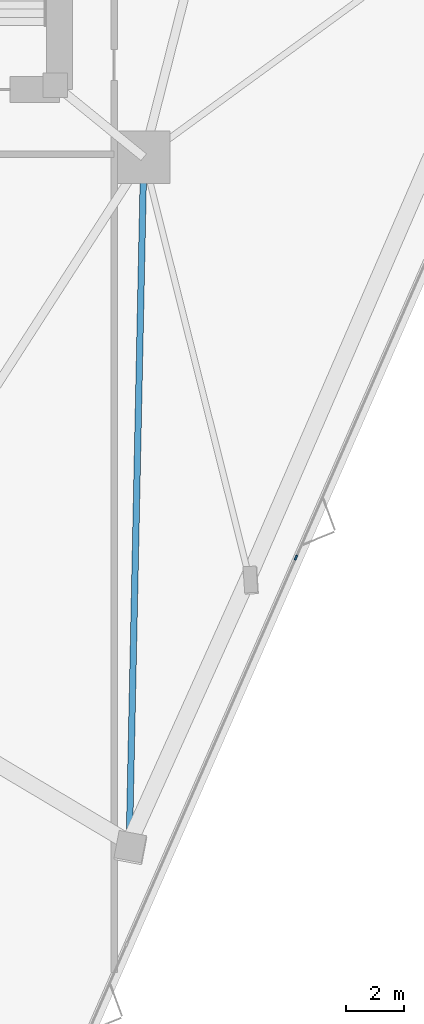
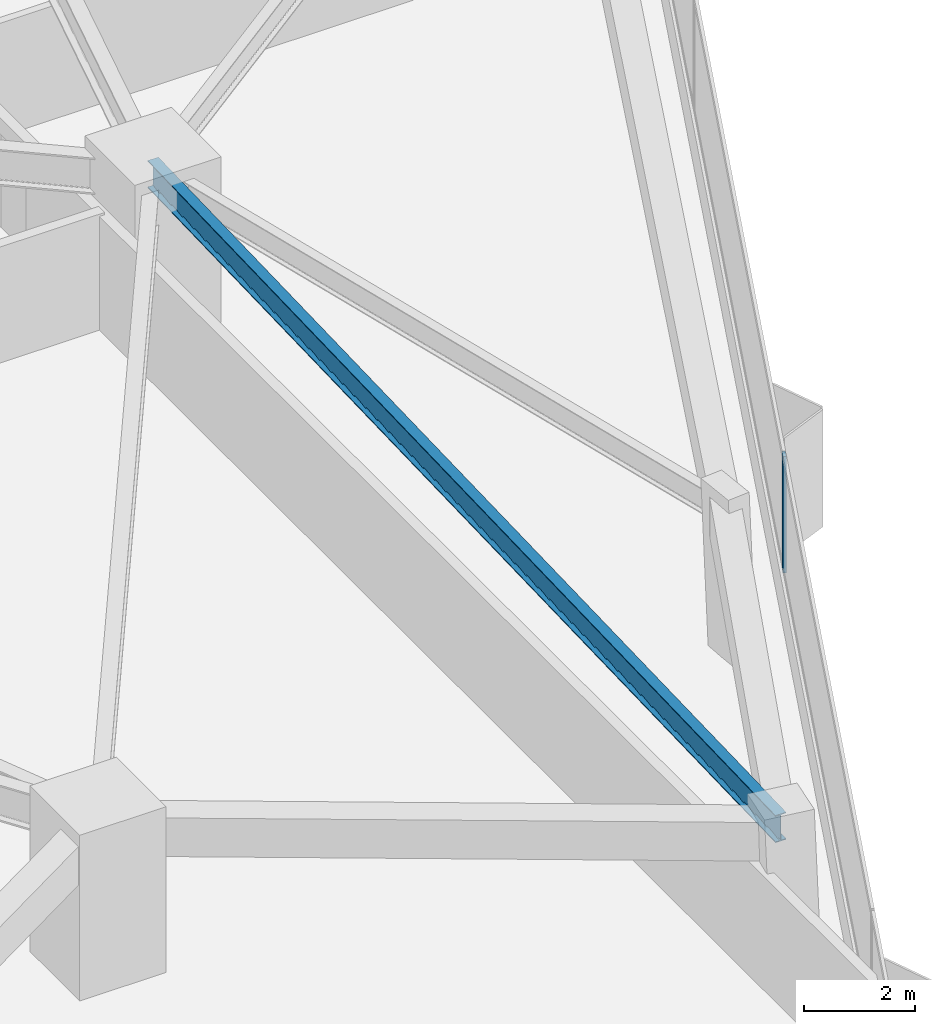
# One storey, part 5 of 20: 1 beam, 1 member, 1 element without a shape of its own.
"""IFC4 building model written with IfcOpenShell, lengths in metres."""

from ifc_helpers import new_model, si_unit, direction, frame, origin, origin_2d, place, context, subcontext, project, spatial, rectangle, i_section, extrude, material, layer, layer_set, material_profile, profile_set, type_object, element, aggregate, save


model = new_model("IFC4")

# Units and contexts
model_context = context("Model", 3, precision=1e-05, world=origin(), true_north=direction((0.0, 1.0)))
body_context = subcontext(model_context, "Body", "Model", "MODEL_VIEW")
ifc_project = project(units=[si_unit("LENGTHUNIT", "METRE"), si_unit("AREAUNIT", "SQUARE_METRE"), si_unit("VOLUMEUNIT", "CUBIC_METRE"), si_unit("PLANEANGLEUNIT", "RADIAN"), si_unit("MASSUNIT", "GRAM", prefix="KILO")], contexts=[model_context])

# Site, building, storey
site_placement = place(None, origin())
site = spatial("IfcSite", under=ifc_project, at=site_placement, CompositionType="ELEMENT")
building_placement = place(site_placement, origin())
building = spatial("IfcBuilding", under=site, at=building_placement, Name="Talyreon Biosciences Tower", CompositionType="ELEMENT")
storey_placement = place(building_placement, frame((0.0, 0.0, 41.050048828125)))
storey = spatial("IfcBuildingStorey", under=building, at=storey_placement, Name="L10", CompositionType="ELEMENT", Elevation=41.050048828125)

# Curtain wall, member
ifc_material_1 = material(Name="Thermally broken aluminium and low-E glazing", Category="aluminium")
ifc_layer = layer(ifc_material_1, 0.195068359375)
ifc_layer_set = layer_set([ifc_layer], Name="Thermally broken aluminium and low-E glazing")
curtain_wall_type = type_object("IfcCurtainWallType", Name="CurtainWall_Zone1WetLab", PredefinedType="NOTDEFINED", material=ifc_layer_set)
curtain_wall_placement = place(storey_placement, origin())
curtain_wall = element("IfcCurtainWall", 1, at=curtain_wall_placement, inside=storey, type_object=curtain_wall_type, Name="L10 Unitised Curtain Wall FCW-L10-08", PredefinedType="NOTDEFINED")
ifc_material_2 = material(Name="Anodised thermally broken aluminium", Category="aluminium")
ifc_material_profile_1 = material_profile(ifc_material_2, rectangle(XDim=0.06494140625, YDim=0.179931640625, at=origin_2d()), Name="ALUM MULLION 65x180")
ifc_profile_set_1 = profile_set([ifc_material_profile_1], Name="Anodised thermally broken aluminium")
member_type = type_object("IfcMemberType", Name="CWMullion_65x180", PredefinedType="MULLION", material=ifc_profile_set_1)
member_placement = place(storey_placement, frame((82.308349609375, 45.146240234375, 0.81005859375), z_axis=(0.0, 0.0, 1.0), x_axis=(0.915980408101, -0.401222995321, 0.0)))
member = element("IfcMember", 2, at=member_placement, type_object=member_type, Name="CW2 mullion 4", PredefinedType="MULLION", context=body_context, shape_type="SweptSolid", body=[
    extrude(rectangle(XDim=0.06494140625, YDim=0.179931640625, at=origin_2d()), origin(), (0.0, 0.0, 1.0), 2.56494140625),
])
aggregate(curtain_wall, [member])

# Beam
ifc_material_3 = material(Name="Steel SM355", Category="steel")
ifc_material_profile_2 = material_profile(ifc_material_3, i_section(OverallWidth=0.219970703125, OverallDepth=0.60009765625, WebThickness=0.011962890625, FlangeThickness=0.01904296875, FilletRadius=0.02392578125, at=origin_2d()), Name="IPE600")
ifc_profile_set_2 = profile_set([ifc_material_profile_2], Name="Steel SM355")
beam_type = type_object("IfcBeamType", Name="SteelJoist_IPE600", PredefinedType="JOIST", material=ifc_profile_set_2)
beam_placement = place(storey_placement, frame((77.086181640625, 58.88037109375, 3.074951171875), z_axis=(-0.021069590385, -0.999778011541, 0.0), x_axis=(0.999778011541, -0.021069590385, 0.0)))
element("IfcBeam", 3, at=beam_placement, inside=storey, type_object=beam_type, Name="L10 Radial Composite Floor Joist PC-SE1", PredefinedType="JOIST", context=body_context, shape_type="SweptSolid", body=[
    extrude(i_section(OverallWidth=0.219970703125, OverallDepth=0.60009765625, WebThickness=0.011962890625, FlangeThickness=0.01904296875, FilletRadius=0.02392578125, at=origin_2d()), origin(), (0.0, 0.0, 1.0), 23.522216796875),
])

save(model, "model.ifc")
